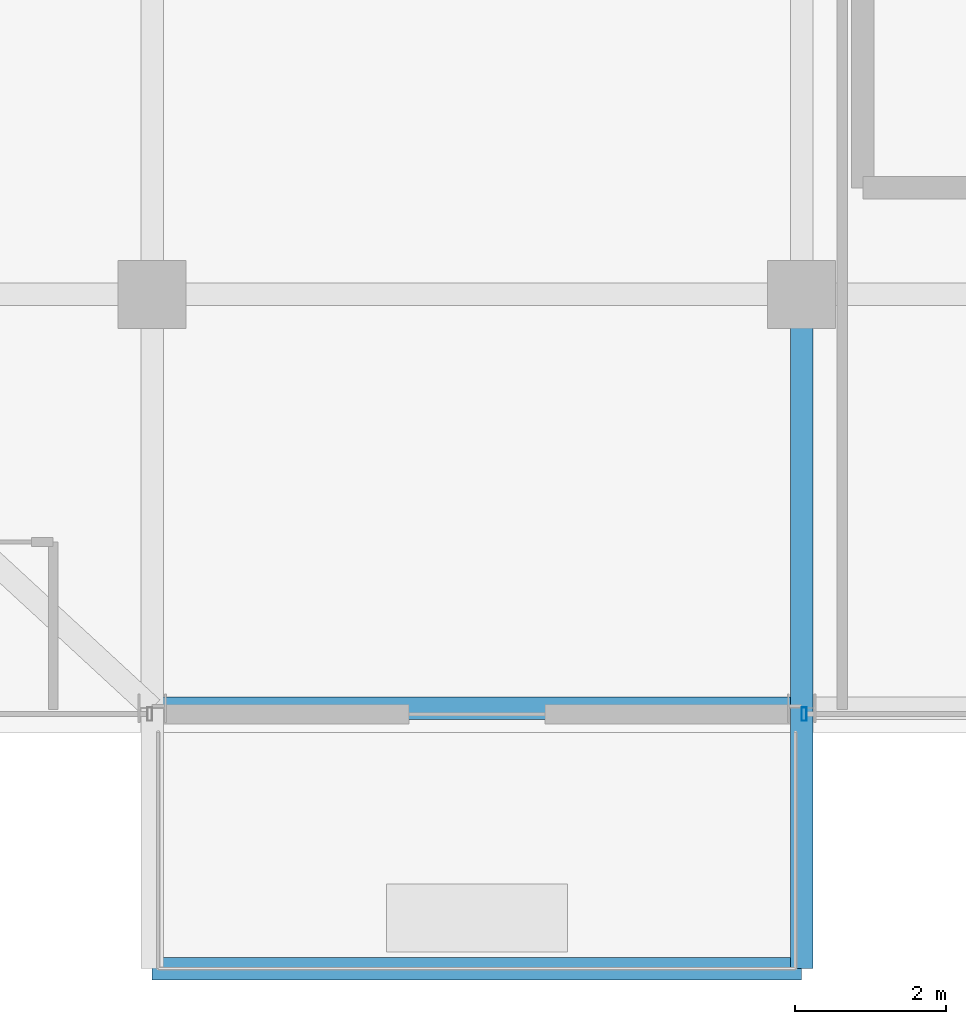
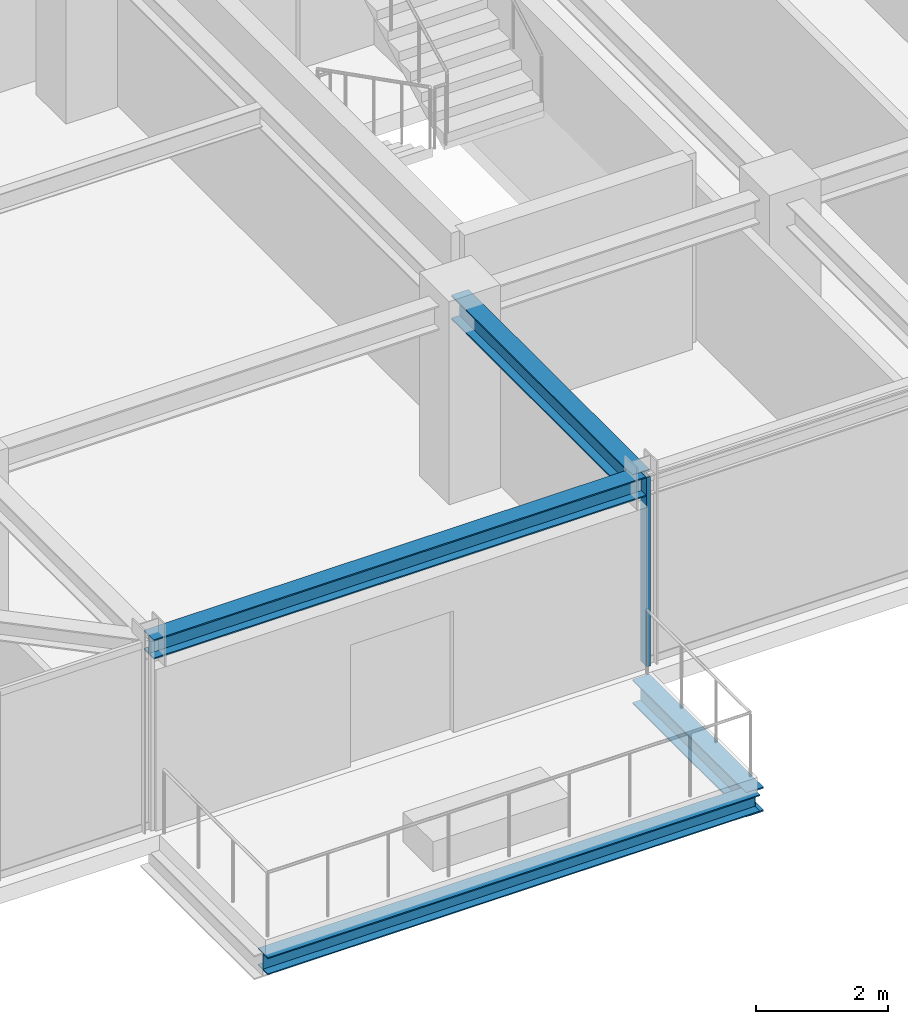
# One storey, part 5 of 32: 4 beams, 1 member, 1 element without a shape of its own.
"""IFC4 building model written with IfcOpenShell, lengths in metres."""

import ifcopenshell
import ifcopenshell.guid

model = None  # the IFC model being written
_history = None  # IfcOwnerHistory: only IFC2X3 demands one
_inside = {}  # id of a spatial element -> (the spatial element, [elements in it])
_under = {}  # id of a project, library or spatial element -> (it, [spatial elements below it])
_declared = {}  # id of a project -> (the project, [libraries it declares])
_typed = {}  # id of a type object -> (the type object, [elements of that type])
_made_of = {}  # id of a material, layer set ... -> (it, [elements and type objects made of it])


def new_model(schema):
    """Start an empty IFC model of exactly this schema.

    Asked for "IFC4X3", IfcOpenShell would pick the latest addendum, in which some entities
    have other attributes; the version numbers below select the first issue.
    IFC2X3 requires an IfcOwnerHistory on every rooted entity: one is made here for all.
    """
    global model, _history
    if schema == "IFC4X3":
        model = ifcopenshell.file(schema_version=(4, 3, 0, 0))
    else:
        model = ifcopenshell.file(schema=schema)
    _inside.clear()
    _under.clear()
    _declared.clear()
    _typed.clear()
    _made_of.clear()
    _history = None
    if model.schema == "IFC2X3":
        org = make("IfcOrganization", Name="unknown")
        user = make(
            "IfcPersonAndOrganization",
            ThePerson=make("IfcPerson", FamilyName="unknown"),
            TheOrganization=org,
        )
        app = make(
            "IfcApplication",
            ApplicationDeveloper=org,
            Version="unknown",
            ApplicationFullName="unknown",
            ApplicationIdentifier="unknown",
        )
        _history = make(
            "IfcOwnerHistory",
            OwningUser=user,
            OwningApplication=app,
            ChangeAction="ADDED",
            CreationDate=0,
        )
    return model


def make(cls, **values):
    """One entity of the class cls with the attributes given. An attribute that is None is left unset."""
    return model.create_entity(
        cls, **{name: value for name, value in values.items() if value is not None}
    )


def rooted(cls, **values):
    """An entity with a GlobalId (a new one), such as an element, a storey or a relation."""
    return make(cls, GlobalId=ifcopenshell.guid.new(), OwnerHistory=_history, **values)


def si_unit(unit_type, name, prefix=None):
    """IfcSIUnit, for example si_unit("LENGTHUNIT", "METRE", prefix="MILLI")."""
    return make("IfcSIUnit", UnitType=unit_type, Prefix=prefix, Name=name)


def assignment(units):
    """IfcUnitAssignment: the units of a project."""
    return None if units is None else make("IfcUnitAssignment", Units=units)


def point(xyz):
    """IfcCartesianPoint."""
    return None if xyz is None else make("IfcCartesianPoint", Coordinates=xyz)


def direction(xyz):
    """IfcDirection."""
    return None if xyz is None else make("IfcDirection", DirectionRatios=xyz)


def frame(location, z_axis=None, x_axis=None):
    """IfcAxis2Placement3D, a coordinate frame: its origin and axes. An axis left out is left unset."""
    return make(
        "IfcAxis2Placement3D",
        Location=point(location),
        Axis=direction(z_axis),
        RefDirection=direction(x_axis),
    )


def frame_2d(location, x_axis=None):
    """IfcAxis2Placement2D, a coordinate frame in the plane: its origin and x axis."""
    return make(
        "IfcAxis2Placement2D", Location=point(location), RefDirection=direction(x_axis)
    )


def origin():
    """The frame at (0, 0, 0) with its axes left unset."""
    return frame((0.0, 0.0, 0.0))


def origin_2d():
    """The frame at (0, 0) in the plane with its x axis left unset."""
    return frame_2d((0.0, 0.0))


def place(relative_to, where):
    """IfcLocalPlacement: puts the frame where relative to a parent placement (None: the world)."""
    return make(
        "IfcLocalPlacement", PlacementRelTo=relative_to, RelativePlacement=where
    )


def context(
    kind, dimensions, precision=None, world=None, true_north=None, identifier=None
):
    """IfcGeometricRepresentationContext, for example the 3D "Model" context."""
    return make(
        "IfcGeometricRepresentationContext",
        ContextIdentifier=identifier,
        ContextType=kind,
        CoordinateSpaceDimension=dimensions,
        Precision=precision,
        WorldCoordinateSystem=world,
        TrueNorth=true_north,
    )


def subcontext(parent, identifier, kind, view, scale=None):
    """IfcGeometricRepresentationSubContext, for example "Body" below "Model"."""
    return make(
        "IfcGeometricRepresentationSubContext",
        ContextIdentifier=identifier,
        ContextType=kind,
        ParentContext=parent,
        TargetScale=scale,
        TargetView=view,
    )


def project(units=None, contexts=None):
    """IfcProject with its units and contexts."""
    return rooted(
        "IfcProject",
        Name="project",
        RepresentationContexts=contexts,
        UnitsInContext=assignment(units),
    )


def spatial(cls, under=None, at=None, **own):
    """A site, building, storey or space (cls), placed at a placement, below another one or the project."""
    s = rooted(cls, ObjectPlacement=at, **own)
    if under is not None:
        _under.setdefault(under.id(), (under, []))[1].append(s)
    return s


def profile(cls, at=None, kind="AREA", **sizes):
    """A parametric profile (cls). Its sizes go by their IFC names, for example OverallWidth=200.0."""
    return make(cls, ProfileType=kind, Position=at, **sizes)


def hollow_rectangle(**sizes):
    """IfcRectangleHollowProfileDef."""
    return profile("IfcRectangleHollowProfileDef", **sizes)


def i_section(**sizes):
    """IfcIShapeProfileDef."""
    return profile("IfcIShapeProfileDef", **sizes)


def extrude(swept, where, along, depth):
    """IfcExtrudedAreaSolid: the profile swept, set in the frame where, extruded along a direction by depth."""
    return make(
        "IfcExtrudedAreaSolid",
        SweptArea=swept,
        Position=where,
        ExtrudedDirection=direction(along),
        Depth=depth,
    )


def shape(context_of_items, identifier, shape_type, items):
    """IfcShapeRepresentation: the items that make up one representation, for example the "Body"."""
    return make(
        "IfcShapeRepresentation",
        ContextOfItems=context_of_items,
        RepresentationIdentifier=identifier,
        RepresentationType=shape_type,
        Items=items,
    )


def source(mapping_origin, context_of_items, identifier, shape_type, items):
    """IfcRepresentationMap: a shape defined once, which mapped items show again and again."""
    return make(
        "IfcRepresentationMap",
        MappingOrigin=mapping_origin,
        MappedRepresentation=shape(context_of_items, identifier, shape_type, items),
    )


def transform(
    local_origin,
    x_axis=None,
    y_axis=None,
    z_axis=None,
    scale=None,
    scale2=None,
    scale3=None,
    uniform=True,
):
    """IfcCartesianTransformationOperator3D, or its non-uniform kind. x_axis, y_axis, z_axis: its Axis1, 2, 3."""
    if uniform:
        return make(
            "IfcCartesianTransformationOperator3D",
            Axis1=direction(x_axis),
            Axis2=direction(y_axis),
            LocalOrigin=point(local_origin),
            Scale=scale,
            Axis3=direction(z_axis),
        )
    return make(
        "IfcCartesianTransformationOperator3DnonUniform",
        Axis1=direction(x_axis),
        Axis2=direction(y_axis),
        LocalOrigin=point(local_origin),
        Scale=scale,
        Axis3=direction(z_axis),
        Scale2=scale2,
        Scale3=scale3,
    )


def mapped(mapping_source, mapping_target):
    """IfcMappedItem: shows the shape of a source again, moved by a transform."""
    return make(
        "IfcMappedItem", MappingSource=mapping_source, MappingTarget=mapping_target
    )


def material(Name=None, Category=None):
    """IfcMaterial."""
    return make("IfcMaterial", Name=Name, Category=Category)


def material_profile(
    of_material, cross_section, Name=None, Category=None, Priority=None
):
    """IfcMaterialProfile: a cross section and its material."""
    return make(
        "IfcMaterialProfile",
        Name=Name,
        Material=of_material,
        Profile=cross_section,
        Priority=Priority,
        Category=Category,
    )


def profile_set(profiles, Name=None, composite=None):
    """IfcMaterialProfileSet."""
    return make(
        "IfcMaterialProfileSet",
        Name=Name,
        MaterialProfiles=profiles,
        CompositeProfile=composite,
    )


def made_of(thing, what):
    """Note that an element or type object is made of a material, layer set ...; save() writes the relation."""
    if what is not None:
        _made_of.setdefault(what.id(), (what, []))[1].append(thing)
    return thing


def type_object(cls, material=None, **own):
    """A type object (cls), such as IfcWallType, which elements share."""
    return made_of(rooted(cls, **own), material)


def element(
    cls,
    number,
    at=None,
    inside=None,
    cuts=None,
    type_object=None,
    material=None,
    context=None,
    identifier="Body",
    shape_type=None,
    held_by="IfcProductDefinitionShape",
    body=None,
    shapes=None,
    **own,
):
    """One element of the class cls, such as IfcWall. Its Tag is "e" and its number.

    at: its placement. inside: the storey or other place that contains it. cuts: it is an
    opening in that element (IfcRelVoidsElement). A single representation is given by context,
    identifier, shape_type and body (its items); several are given by shapes. held_by: the class
    of the entity that holds the representations. save() writes the other relations.
    """
    e = rooted(cls, Tag="e%d" % number, ObjectPlacement=at, **own)
    if body is not None:
        shapes = [shape(context, identifier, shape_type, body)]
    if shapes is not None:
        e.Representation = make(held_by, Representations=shapes)
    if inside is not None:
        _inside.setdefault(inside.id(), (inside, []))[1].append(e)
    if cuts is not None:
        rooted(
            "IfcRelVoidsElement", RelatingBuildingElement=cuts, RelatedOpeningElement=e
        )
    if type_object is not None:
        _typed.setdefault(type_object.id(), (type_object, []))[1].append(e)
    return made_of(e, material)


def aggregate(whole, parts):
    """IfcRelAggregates: a whole, such as a stair, and the parts it consists of."""
    return rooted("IfcRelAggregates", RelatingObject=whole, RelatedObjects=parts)


def save(model, path):
    """Write the relations noted so far, then the file.

    IfcRelAggregates (storeys below a building ...), IfcRelContainedInSpatialStructure (elements
    in a storey), IfcRelDefinesByType, IfcRelAssociatesMaterial and IfcRelDeclares: one each for
    every whole, place, type object, material and project.
    """
    for whole, parts in _under.values():
        aggregate(whole, parts)
    for where, things in _inside.values():
        rooted(
            "IfcRelContainedInSpatialStructure",
            RelatedElements=things,
            RelatingStructure=where,
        )
    for kind, things in _typed.values():
        rooted("IfcRelDefinesByType", RelatedObjects=things, RelatingType=kind)
    for what, things in _made_of.values():
        rooted("IfcRelAssociatesMaterial", RelatedObjects=things, RelatingMaterial=what)
    for by, libraries in _declared.values():
        rooted("IfcRelDeclares", RelatingContext=by, RelatedDefinitions=libraries)
    model.write(path)


model = new_model("IFC4")

# Units and contexts
model_context = context("Model", 3, precision=1e-05, world=origin(), true_north=direction((0.0, 1.0)))
body_context = subcontext(model_context, "Body", "Model", "MODEL_VIEW")
ifc_project = project(units=[si_unit("LENGTHUNIT", "METRE"), si_unit("AREAUNIT", "SQUARE_METRE"), si_unit("VOLUMEUNIT", "CUBIC_METRE"), si_unit("PLANEANGLEUNIT", "RADIAN"), si_unit("MASSUNIT", "GRAM", prefix="KILO")], contexts=[model_context])

# Site, building, storey
site_placement = place(None, origin())
site = spatial("IfcSite", under=ifc_project, at=site_placement, CompositionType="ELEMENT")
building_placement = place(site_placement, origin())
building = spatial("IfcBuilding", under=site, at=building_placement, Name="Nahalor Promenade Grand Hotel", CompositionType="ELEMENT")
storey_placement = place(building_placement, frame((0.0, 0.0, 330.949951171875)))
storey = spatial("IfcBuildingStorey", under=building, at=storey_placement, Name="L85", CompositionType="ELEMENT", Elevation=330.949951171875)

# Beams
ifc_material_1 = material(Name="Steel S355JR", Category="steel")
ifc_material_profile_1 = material_profile(ifc_material_1, i_section(OverallWidth=0.3, OverallDepth=0.32, WebThickness=0.0115, FlangeThickness=0.0205, at=origin_2d()), Name="HEB 320")
ifc_profile_set_1 = profile_set([ifc_material_profile_1], Name="Steel S355JR")
beam_type_1 = type_object("IfcBeamType", Name="Beam-BalcEdge-HEB320", PredefinedType="SPANDREL", material=ifc_profile_set_1)
shared_shape_1 = source(origin(), body_context, "Body", "SweptSolid", [
    extrude(i_section(OverallWidth=0.3, OverallDepth=0.32, WebThickness=0.0115, FlangeThickness=0.0205, at=origin_2d()), origin(), (0.0, 0.0, 1.0), 8.60009765625),
])
beam_1_placement = place(storey_placement, frame((-17.0, -25.929931640625, -0.43994140625), z_axis=(1.0, 0.0, 0.0), x_axis=(0.0, 1.0, 0.0)))
element("IfcBeam", 1, at=beam_1_placement, inside=storey, type_object=beam_type_1, Name="BM-L85-BC-01-F", PredefinedType="SPANDREL", context=body_context, shape_type="MappedRepresentation", body=[
    mapped(shared_shape_1, transform((0.0, 0.0, 0.0), scale=1.0)),
])
ifc_material_profile_2 = material_profile(ifc_material_1, i_section(OverallWidth=0.3, OverallDepth=0.45, WebThickness=0.014, FlangeThickness=0.026, at=origin_2d()), Name="HEB 450")
ifc_profile_set_2 = profile_set([ifc_material_profile_2], Name="Steel S355JR")
beam_type_2 = type_object("IfcBeamType", Name="Beam-Outrigger-HEB450", PredefinedType="BEAM", material=ifc_profile_set_2)
shared_shape_2 = source(origin(), body_context, "Body", "SweptSolid", [
    extrude(i_section(OverallWidth=0.3, OverallDepth=0.45, WebThickness=0.014, FlangeThickness=0.026, at=origin_2d()), origin(), (0.0, 0.0, 1.0), 3.449951171875),
])
beam_2_placement = place(storey_placement, frame((-8.39990234375, -25.929931640625, -0.5048828125), z_axis=(0.0, 1.0, 0.0), x_axis=(-1.0, 0.0, 0.0)))
element("IfcBeam", 2, at=beam_2_placement, inside=storey, type_object=beam_type_2, Name="BM-L85-BC-01-2", PredefinedType="BEAM", context=body_context, shape_type="MappedRepresentation", body=[
    mapped(shared_shape_2, transform((0.0, 0.0, 0.0), scale=1.0)),
])
ifc_material_profile_3 = material_profile(ifc_material_1, i_section(OverallWidth=0.3, OverallDepth=0.45, WebThickness=0.014, FlangeThickness=0.026, at=origin_2d()), Name="HEB 450")
ifc_profile_set_3 = profile_set([ifc_material_profile_3], Name="Steel S355JR")
beam_type_3 = type_object("IfcBeamType", Name="Beam-Girder-HEB450", PredefinedType="BEAM", material=ifc_profile_set_3)
shared_shape_3 = source(origin(), body_context, "Body", "SweptSolid", [
    extrude(i_section(OverallWidth=0.3, OverallDepth=0.45, WebThickness=0.014, FlangeThickness=0.026, at=origin_2d()), origin(), (0.0, 0.0, 1.0), 5.47998046875),
])
beam_3_placement = place(storey_placement, frame((-8.39990234375, -22.47998046875, 3.275146484375), z_axis=(0.0, 1.0, 0.0), x_axis=(-1.0, 0.0, 0.0)))
element("IfcBeam", 3, at=beam_3_placement, inside=storey, type_object=beam_type_3, Name="BM-L85-GY-1-0", PredefinedType="BEAM", context=body_context, shape_type="MappedRepresentation", body=[
    mapped(shared_shape_3, transform((0.0, 0.0, 0.0), scale=1.0)),
])
ifc_material_profile_4 = material_profile(ifc_material_1, i_section(OverallWidth=0.3, OverallDepth=0.36, WebThickness=0.0125, FlangeThickness=0.0225, at=origin_2d()), Name="HEB 360")
ifc_profile_set_4 = profile_set([ifc_material_profile_4], Name="Steel S355JR")
beam_type_4 = type_object("IfcBeamType", Name="Beam-Spandrel-HEB360", PredefinedType="SPANDREL", material=ifc_profile_set_4)
shared_shape_4 = source(origin(), body_context, "Body", "SweptSolid", [
    extrude(i_section(OverallWidth=0.3, OverallDepth=0.36, WebThickness=0.0125, FlangeThickness=0.0225, at=origin_2d()), origin(), (0.0, 0.0, 1.0), 8.60009765625),
])
beam_4_placement = place(storey_placement, frame((-17.0, -22.47998046875, 3.320068359375), z_axis=(1.0, 0.0, 0.0), x_axis=(0.0, 1.0, 0.0)))
element("IfcBeam", 4, at=beam_4_placement, inside=storey, type_object=beam_type_4, Name="BM-L85-SP-S-0", PredefinedType="SPANDREL", context=body_context, shape_type="MappedRepresentation", body=[
    mapped(shared_shape_4, transform((0.0, 0.0, 0.0), scale=1.0)),
])

# Curtain wall, member
ifc_material_2 = material(Name="Anodised Bronze Aluminium EN AW-6063 T6", Category="aluminium")
curtain_wall_type = type_object("IfcCurtainWallType", Name="CW2 Typical Hotel Flush Bronze Unitised Curtain Wall", PredefinedType="USERDEFINED", material=ifc_material_2)
curtain_wall_placement = place(storey_placement, origin())
curtain_wall = element("IfcCurtainWall", 5, at=curtain_wall_placement, inside=storey, type_object=curtain_wall_type, Name="L85 Curtain Wall CW-L85-S-3", ObjectType="UNITISED_CURTAIN_WALL", PredefinedType="USERDEFINED")
ifc_material_profile_5 = material_profile(ifc_material_2, hollow_rectangle(XDim=0.065, YDim=0.18, WallThickness=0.004, at=origin_2d()), Name="CWM 65x180x4")
ifc_profile_set_5 = profile_set([ifc_material_profile_5], Name="Anodised Bronze Aluminium EN AW-6063 T6")
member_type = type_object("IfcMemberType", Name="CWM2 Typical Bronze Mullion 65x180", PredefinedType="MULLION", material=ifc_profile_set_5)
shared_shape_5 = source(origin(), body_context, "Body", "SweptSolid", [
    extrude(hollow_rectangle(XDim=0.065, YDim=0.18, WallThickness=0.004, at=origin_2d()), origin(), (0.0, 0.0, 1.0), 3.5),
])
member_placement = place(storey_placement, frame((-8.367431640625, -22.56005859375, 0.0), z_axis=(0.0, 0.0, 1.0), x_axis=(1.0, 0.0, 0.0)))
member = element("IfcMember", 6, at=member_placement, type_object=member_type, Name="CW-L85-S-3 Mullion 0", PredefinedType="MULLION", context=body_context, shape_type="MappedRepresentation", body=[
    mapped(shared_shape_5, transform((0.0, 0.0, 0.0), scale=1.0)),
])
aggregate(curtain_wall, [member])

save(model, "model.ifc")
